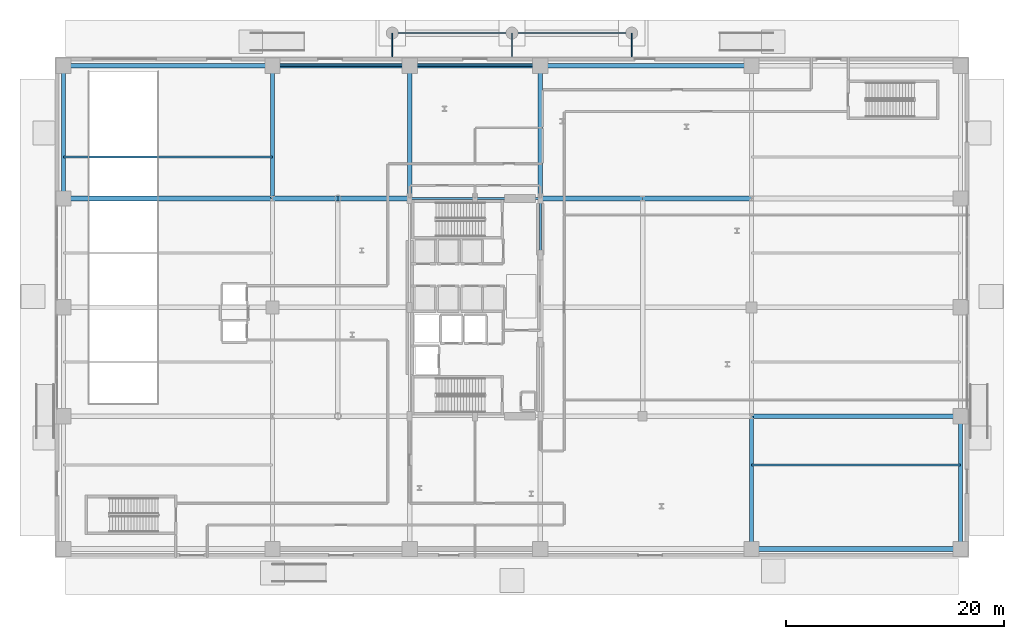
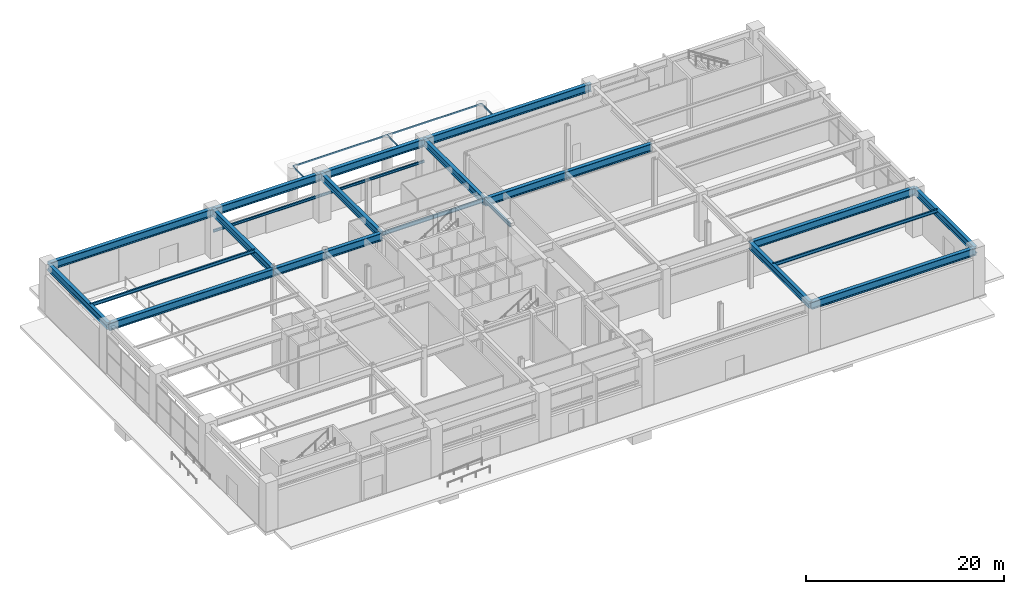
# One storey, part 12 of 31: 29 beams.
"""IFC4 building model written with IfcOpenShell, lengths in metres."""

from ifc_helpers import new_model, si_unit, direction, frame, origin, origin_2d, place, context, subcontext, project, spatial, hollow_rectangle, i_section, extrude, material, material_profile, profile_set, type_object, element, save


model = new_model("IFC4")

# Units and contexts
model_context = context("Model", 3, precision=1e-05, world=origin(), true_north=direction((0.0, 1.0)))
body_context = subcontext(model_context, "Body", "Model", "MODEL_VIEW")
ifc_project = project(units=[si_unit("LENGTHUNIT", "METRE"), si_unit("AREAUNIT", "SQUARE_METRE"), si_unit("VOLUMEUNIT", "CUBIC_METRE"), si_unit("PLANEANGLEUNIT", "RADIAN"), si_unit("MASSUNIT", "GRAM", prefix="KILO")], contexts=[model_context])

# Site, building, storey
site_placement = place(None, origin())
site = spatial("IfcSite", under=ifc_project, at=site_placement, CompositionType="ELEMENT")
building_placement = place(site_placement, origin())
building = spatial("IfcBuilding", under=site, at=building_placement, Name="Soratama Intermodal Tower", CompositionType="ELEMENT")
storey_placement = place(building_placement, origin())
storey = spatial("IfcBuildingStorey", under=building, at=storey_placement, Name="L00", CompositionType="ELEMENT", Elevation=0.0)

# Beams
ifc_material_1 = material(Name="Structural steel ASTM A500 Grade C", Category="steel")
ifc_material_profile_1 = material_profile(ifc_material_1, hollow_rectangle(XDim=0.1015625, YDim=0.203125, WallThickness=0.009521484375, InnerFilletRadius=0.009521484375, OuterFilletRadius=0.01904296875, at=origin_2d()), Name="HSS203X102X9.5")
ifc_profile_set_1 = profile_set([ifc_material_profile_1], Name="Structural steel ASTM A500 Grade C")
beam_type_1 = type_object("IfcBeamType", Name="BM-CAN-HSS203", PredefinedType="BEAM", material=ifc_profile_set_1)
for number, where, z_axis, x_axis, name in (
    (1, (31.0, 50.199951171875, 5.097900390625), (1.0, 0.0, 0.0), (0.0, 1.0, 0.0), "North Canopy Edge Beam 1"),
    (2, (42.0, 50.199951171875, 5.097900390625), (1.0, 0.0, 0.0), (0.0, 1.0, 0.0), "North Canopy Edge Beam 2"),
):
    element("IfcBeam", number, at=place(storey_placement, frame(where, z_axis=z_axis, x_axis=x_axis)), inside=storey, type_object=beam_type_1, Name=name, PredefinedType="BEAM", context=body_context, shape_type="SweptSolid", body=[
        extrude(hollow_rectangle(XDim=0.1015625, YDim=0.203125, WallThickness=0.009521484375, InnerFilletRadius=0.009521484375, OuterFilletRadius=0.01904296875, at=origin_2d()), origin(), (0.0, 0.0, 1.0), 11.0),
    ])
for number, where, z_axis, x_axis, name in (
    (3, (31.0, 48.0, 5.097900390625), (0.0, 1.0, 0.0), (-1.0, 0.0, 0.0), "North Canopy Tie Beam 1"),
    (4, (42.0, 48.0, 5.097900390625), (0.0, 1.0, 0.0), (-1.0, 0.0, 0.0), "North Canopy Tie Beam 2"),
    (5, (53.0, 48.0, 5.097900390625), (0.0, 1.0, 0.0), (-1.0, 0.0, 0.0), "North Canopy Tie Beam 3"),
):
    element("IfcBeam", number, at=place(storey_placement, frame(where, z_axis=z_axis, x_axis=x_axis)), inside=storey, type_object=beam_type_1, Name=name, PredefinedType="BEAM", context=body_context, shape_type="SweptSolid", body=[
        extrude(hollow_rectangle(XDim=0.1015625, YDim=0.203125, WallThickness=0.009521484375, InnerFilletRadius=0.009521484375, OuterFilletRadius=0.01904296875, at=origin_2d()), origin(), (0.0, 0.0, 1.0), 2.199951171875),
    ])
ifc_material_2 = material(Name="Structural steel ASTM A992 Grade 50", Category="steel")
ifc_material_profile_2 = material_profile(ifc_material_2, i_section(OverallWidth=0.19091796875, OverallDepth=0.4599609375, WebThickness=0.010009765625, FlangeThickness=0.01611328125, FilletRadius=0.010986328125, at=origin_2d()), Name="W18X55")
ifc_profile_set_2 = profile_set([ifc_material_profile_2], Name="Structural steel ASTM A992 Grade 50")
beam_type_2 = type_object("IfcBeamType", Name="BM-FLR-W18X55", PredefinedType="BEAM", material=ifc_profile_set_2)
beam_1_placement = place(storey_placement, frame((44.60009765625, 29.800048828125, 5.449951171875), z_axis=(0.0, 1.0, 0.0), x_axis=(-1.0, 0.0, 0.0)))
element("IfcBeam", 6, at=beam_1_placement, inside=storey, type_object=beam_type_2, Name="BM-L00-CRING-05", PredefinedType="BEAM", context=body_context, shape_type="SweptSolid", body=[
    extrude(i_section(OverallWidth=0.19091796875, OverallDepth=0.4599609375, WebThickness=0.010009765625, FlangeThickness=0.01611328125, FilletRadius=0.010986328125, at=origin_2d()), origin(), (0.0, 0.0, 1.0), 5.199951171875),
])
for number, where, z_axis, x_axis, name in (
    (7, (44.60009765625, 35.0, 5.449951171875), (-1.0, 0.0, 0.0), (0.0, -1.0, 0.0), "BM-L00-CRING-06"),
    (8, (38.60009765625, 35.0, 5.449951171875), (-1.0, 0.0, 0.0), (0.0, -1.0, 0.0), "BM-L00-CRING-07"),
):
    element("IfcBeam", number, at=place(storey_placement, frame(where, z_axis=z_axis, x_axis=x_axis)), inside=storey, type_object=beam_type_2, Name=name, PredefinedType="BEAM", context=body_context, shape_type="SweptSolid", body=[
        extrude(i_section(OverallWidth=0.19091796875, OverallDepth=0.4599609375, WebThickness=0.010009765625, FlangeThickness=0.01611328125, FilletRadius=0.010986328125, at=origin_2d()), origin(), (0.0, 0.0, 1.0), 6.0),
    ])
ifc_material_3 = material(Name="Structural steel ASTM A992 Grade 50", Category="steel")
ifc_material_profile_3 = material_profile(ifc_material_3, i_section(OverallWidth=0.177978515625, OverallDepth=0.406982421875, WebThickness=0.0078125, FlangeThickness=0.0126953125, FilletRadius=0.010009765625, at=origin_2d()), Name="W16X40")
ifc_profile_set_3 = profile_set([ifc_material_profile_3], Name="Structural steel ASTM A992 Grade 50")
beam_type_3 = type_object("IfcBeamType", Name="BM-JST-W16X40", PredefinedType="JOIST", material=ifc_profile_set_3)
for number, where, z_axis, x_axis, name in (
    (9, (64.0, 10.5, 5.4765625), (1.0, 0.0, 0.0), (0.0, 1.0, 0.0), "JST-L00-E1"),
    (10, (0.800048828125, 38.800048828125, 5.4765625), (1.0, 0.0, 0.0), (0.0, 1.0, 0.0), "JST-L00-W4"),
):
    element("IfcBeam", number, at=place(storey_placement, frame(where, z_axis=z_axis, x_axis=x_axis)), inside=storey, type_object=beam_type_3, Name=name, PredefinedType="JOIST", context=body_context, shape_type="SweptSolid", body=[
        extrude(i_section(OverallWidth=0.177978515625, OverallDepth=0.406982421875, WebThickness=0.0078125, FlangeThickness=0.0126953125, FilletRadius=0.010009765625, at=origin_2d()), origin(), (0.0, 0.0, 1.0), 19.199951171875),
    ])
ifc_material_4 = material(Name="Structural steel ASTM A992 Grade 50", Category="steel")
ifc_material_profile_4 = material_profile(ifc_material_4, i_section(OverallWidth=0.1650390625, OverallDepth=0.31005859375, WebThickness=0.005859375, FlangeThickness=0.009765625, FilletRadius=0.008056640625, at=origin_2d()), Name="W12X26")
ifc_profile_set_4 = profile_set([ifc_material_profile_4], Name="Structural steel ASTM A992 Grade 50")
beam_type_4 = type_object("IfcBeamType", Name="BM-LNT-W12X26", PredefinedType="LINTEL", material=ifc_profile_set_4)
beam_2_placement = place(storey_placement, frame((20.0, 47.199951171875, 2.804931640625), z_axis=(1.0, 0.0, 0.0), x_axis=(0.0, 1.0, 0.0)))
element("IfcBeam", 11, at=beam_2_placement, inside=storey, type_object=beam_type_4, Name="L00 Facade Transom Lintel 3", PredefinedType="LINTEL", context=body_context, shape_type="SweptSolid", body=[
    extrude(i_section(OverallWidth=0.1650390625, OverallDepth=0.31005859375, WebThickness=0.005859375, FlangeThickness=0.009765625, FilletRadius=0.008056640625, at=origin_2d()), origin(), (0.0, 0.0, 1.0), 12.60009765625),
])
beam_3_placement = place(storey_placement, frame((32.60009765625, 47.199951171875, 2.804931640625), z_axis=(1.0, 0.0, 0.0), x_axis=(0.0, 1.0, 0.0)))
element("IfcBeam", 12, at=beam_3_placement, inside=storey, type_object=beam_type_4, Name="L00 Facade Transom Lintel 4", PredefinedType="LINTEL", context=body_context, shape_type="SweptSolid", body=[
    extrude(i_section(OverallWidth=0.1650390625, OverallDepth=0.31005859375, WebThickness=0.005859375, FlangeThickness=0.009765625, FilletRadius=0.008056640625, at=origin_2d()), origin(), (0.0, 0.0, 1.0), 12.0),
])
ifc_material_5 = material(Name="Structural steel ASTM A992 Grade 50", Category="steel")
ifc_material_profile_5 = material_profile(ifc_material_5, i_section(OverallWidth=0.403076171875, OverallDepth=0.867919921875, WebThickness=0.02099609375, FlangeThickness=0.03564453125, FilletRadius=0.01806640625, at=origin_2d()), Name="W33X241")
ifc_profile_set_5 = profile_set([ifc_material_profile_5], Name="Structural steel ASTM A992 Grade 50")
beam_type_5 = type_object("IfcBeamType", Name="BM-POD-EXT-W33", PredefinedType="BEAM", material=ifc_profile_set_5)
for number, where, z_axis, x_axis, name in (
    (13, (0.800048828125, 35.0, 5.24609375), (0.0, 1.0, 0.0), (-1.0, 0.0, 0.0), "L00 Station Girder Y1-4"),
    (14, (83.199951171875, 2.800048828125, 5.24609375), (0.0, 1.0, 0.0), (-1.0, 0.0, 0.0), "L00 Station Girder Y4-1"),
):
    element("IfcBeam", number, at=place(storey_placement, frame(where, z_axis=z_axis, x_axis=x_axis)), inside=storey, type_object=beam_type_5, Name=name, PredefinedType="BEAM", context=body_context, shape_type="SweptSolid", body=[
        extrude(i_section(OverallWidth=0.403076171875, OverallDepth=0.867919921875, WebThickness=0.02099609375, FlangeThickness=0.03564453125, FilletRadius=0.01806640625, at=origin_2d()), origin(), (0.0, 0.0, 1.0), 12.199951171875),
    ])
ifc_material_6 = material(Name="Structural steel ASTM A992 Grade 50", Category="steel")
ifc_material_profile_6 = material_profile(ifc_material_6, i_section(OverallWidth=0.423095703125, OverallDepth=0.93896484375, WebThickness=0.02392578125, FlangeThickness=0.042724609375, FilletRadius=0.02392578125, at=origin_2d()), Name="W36X302")
ifc_profile_set_6 = profile_set([ifc_material_profile_6], Name="Structural steel ASTM A992 Grade 50")
beam_type_6 = type_object("IfcBeamType", Name="BM-POD-EXT-W36", PredefinedType="BEAM", material=ifc_profile_set_6)
for number, where, z_axis, x_axis, name in (
    (15, (64.0, 2.800048828125, 5.21044921875), (1.0, 0.0, 0.0), (0.0, 1.0, 0.0), "L00 Station Girder X1-5"),
    (16, (0.800048828125, 47.199951171875, 5.21044921875), (1.0, 0.0, 0.0), (0.0, 1.0, 0.0), "L00 Station Girder X5-1"),
):
    element("IfcBeam", number, at=place(storey_placement, frame(where, z_axis=z_axis, x_axis=x_axis)), inside=storey, type_object=beam_type_6, Name=name, PredefinedType="BEAM", context=body_context, shape_type="SweptSolid", body=[
        extrude(i_section(OverallWidth=0.423095703125, OverallDepth=0.93896484375, WebThickness=0.02392578125, FlangeThickness=0.042724609375, FilletRadius=0.02392578125, at=origin_2d()), origin(), (0.0, 0.0, 1.0), 19.199951171875),
    ])
beam_4_placement = place(storey_placement, frame((20.0, 47.199951171875, 5.21044921875), z_axis=(1.0, 0.0, 0.0), x_axis=(0.0, 1.0, 0.0)))
element("IfcBeam", 17, at=beam_4_placement, inside=storey, type_object=beam_type_6, Name="L00 Station Girder X5-2", PredefinedType="BEAM", context=body_context, shape_type="SweptSolid", body=[
    extrude(i_section(OverallWidth=0.423095703125, OverallDepth=0.93896484375, WebThickness=0.02392578125, FlangeThickness=0.042724609375, FilletRadius=0.02392578125, at=origin_2d()), origin(), (0.0, 0.0, 1.0), 12.60009765625),
])
beam_5_placement = place(storey_placement, frame((32.60009765625, 47.199951171875, 5.21044921875), z_axis=(1.0, 0.0, 0.0), x_axis=(0.0, 1.0, 0.0)))
element("IfcBeam", 18, at=beam_5_placement, inside=storey, type_object=beam_type_6, Name="L00 Station Girder X5-3", PredefinedType="BEAM", context=body_context, shape_type="SweptSolid", body=[
    extrude(i_section(OverallWidth=0.423095703125, OverallDepth=0.93896484375, WebThickness=0.02392578125, FlangeThickness=0.042724609375, FilletRadius=0.02392578125, at=origin_2d()), origin(), (0.0, 0.0, 1.0), 12.0),
])
beam_6_placement = place(storey_placement, frame((44.60009765625, 47.199951171875, 5.21044921875), z_axis=(1.0, 0.0, 0.0), x_axis=(0.0, 1.0, 0.0)))
element("IfcBeam", 19, at=beam_6_placement, inside=storey, type_object=beam_type_6, Name="L00 Station Girder X5-4", PredefinedType="BEAM", context=body_context, shape_type="SweptSolid", body=[
    extrude(i_section(OverallWidth=0.423095703125, OverallDepth=0.93896484375, WebThickness=0.02392578125, FlangeThickness=0.042724609375, FilletRadius=0.02392578125, at=origin_2d()), origin(), (0.0, 0.0, 1.0), 19.39990234375),
])
ifc_material_7 = material(Name="Structural steel ASTM A992 Grade 50", Category="steel")
ifc_material_profile_7 = material_profile(ifc_material_7, i_section(OverallWidth=0.403076171875, OverallDepth=0.867919921875, WebThickness=0.02099609375, FlangeThickness=0.03564453125, FilletRadius=0.01806640625, at=origin_2d()), Name="W33X241")
ifc_profile_set_7 = profile_set([ifc_material_profile_7], Name="Structural steel ASTM A992 Grade 50")
beam_type_7 = type_object("IfcBeamType", Name="BM-POD-W33X241", PredefinedType="BEAM", material=ifc_profile_set_7)
for number, where, z_axis, x_axis, name in (
    (20, (20.0, 35.0, 5.24609375), (0.0, 1.0, 0.0), (-1.0, 0.0, 0.0), "L00 Station Girder Y2-4"),
    (21, (64.0, 2.800048828125, 5.24609375), (0.0, 1.0, 0.0), (-1.0, 0.0, 0.0), "L00 Station Girder Y3-1"),
    (22, (32.60009765625, 35.0, 5.24609375), (0.0, 1.0, 0.0), (-1.0, 0.0, 0.0), "BM-L00-GYC-1-2"),
    (23, (44.60009765625, 35.0, 5.24609375), (0.0, 1.0, 0.0), (-1.0, 0.0, 0.0), "BM-L00-GYC-2-2"),
):
    element("IfcBeam", number, at=place(storey_placement, frame(where, z_axis=z_axis, x_axis=x_axis)), inside=storey, type_object=beam_type_7, Name=name, PredefinedType="BEAM", context=body_context, shape_type="SweptSolid", body=[
        extrude(i_section(OverallWidth=0.403076171875, OverallDepth=0.867919921875, WebThickness=0.02099609375, FlangeThickness=0.03564453125, FilletRadius=0.01806640625, at=origin_2d()), origin(), (0.0, 0.0, 1.0), 12.199951171875),
    ])
ifc_material_8 = material(Name="Structural steel ASTM A992 Grade 50", Category="steel")
ifc_material_profile_8 = material_profile(ifc_material_8, i_section(OverallWidth=0.423095703125, OverallDepth=0.93896484375, WebThickness=0.02392578125, FlangeThickness=0.042724609375, FilletRadius=0.02392578125, at=origin_2d()), Name="W36X302")
ifc_profile_set_8 = profile_set([ifc_material_profile_8], Name="Structural steel ASTM A992 Grade 50")
beam_type_8 = type_object("IfcBeamType", Name="BM-POD-W36X302", PredefinedType="BEAM", material=ifc_profile_set_8)
beam_7_placement = place(storey_placement, frame((64.0, 15.0, 5.21044921875), z_axis=(1.0, 0.0, 0.0), x_axis=(0.0, 1.0, 0.0)))
element("IfcBeam", 24, at=beam_7_placement, inside=storey, type_object=beam_type_8, Name="L00 Station Girder X2-6", PredefinedType="BEAM", context=body_context, shape_type="SweptSolid", body=[
    extrude(i_section(OverallWidth=0.423095703125, OverallDepth=0.93896484375, WebThickness=0.02392578125, FlangeThickness=0.042724609375, FilletRadius=0.02392578125, at=origin_2d()), origin(), (0.0, 0.0, 1.0), 19.199951171875),
])
beam_8_placement = place(storey_placement, frame((20.0, 35.0, 5.21044921875), z_axis=(1.0, 0.0, 0.0), x_axis=(0.0, 1.0, 0.0)))
element("IfcBeam", 25, at=beam_8_placement, inside=storey, type_object=beam_type_8, Name="L00 Station Girder X4-1", PredefinedType="BEAM", context=body_context, shape_type="SweptSolid", body=[
    extrude(i_section(OverallWidth=0.423095703125, OverallDepth=0.93896484375, WebThickness=0.02392578125, FlangeThickness=0.042724609375, FilletRadius=0.02392578125, at=origin_2d()), origin(), (0.0, 0.0, 1.0), 6.0),
])
beam_9_placement = place(storey_placement, frame((26.0, 35.0, 5.21044921875), z_axis=(1.0, 0.0, 0.0), x_axis=(0.0, 1.0, 0.0)))
element("IfcBeam", 26, at=beam_9_placement, inside=storey, type_object=beam_type_8, Name="L00 Station Girder X4-2", PredefinedType="BEAM", context=body_context, shape_type="SweptSolid", body=[
    extrude(i_section(OverallWidth=0.423095703125, OverallDepth=0.93896484375, WebThickness=0.02392578125, FlangeThickness=0.042724609375, FilletRadius=0.02392578125, at=origin_2d()), origin(), (0.0, 0.0, 1.0), 6.60009765625),
])
beam_10_placement = place(storey_placement, frame((44.60009765625, 35.0, 5.21044921875), z_axis=(1.0, 0.0, 0.0), x_axis=(0.0, 1.0, 0.0)))
element("IfcBeam", 27, at=beam_10_placement, inside=storey, type_object=beam_type_8, Name="L00 Station Girder X4-3", PredefinedType="BEAM", context=body_context, shape_type="SweptSolid", body=[
    extrude(i_section(OverallWidth=0.423095703125, OverallDepth=0.93896484375, WebThickness=0.02392578125, FlangeThickness=0.042724609375, FilletRadius=0.02392578125, at=origin_2d()), origin(), (0.0, 0.0, 1.0), 9.39990234375),
])
beam_11_placement = place(storey_placement, frame((54.0, 35.0, 5.21044921875), z_axis=(1.0, 0.0, 0.0), x_axis=(0.0, 1.0, 0.0)))
element("IfcBeam", 28, at=beam_11_placement, inside=storey, type_object=beam_type_8, Name="L00 Station Girder X4-4", PredefinedType="BEAM", context=body_context, shape_type="SweptSolid", body=[
    extrude(i_section(OverallWidth=0.423095703125, OverallDepth=0.93896484375, WebThickness=0.02392578125, FlangeThickness=0.042724609375, FilletRadius=0.02392578125, at=origin_2d()), origin(), (0.0, 0.0, 1.0), 10.0),
])
beam_12_placement = place(storey_placement, frame((0.800048828125, 35.0, 5.21044921875), z_axis=(1.0, 0.0, 0.0), x_axis=(0.0, 1.0, 0.0)))
element("IfcBeam", 29, at=beam_12_placement, inside=storey, type_object=beam_type_8, Name="L00 Station Girder X4-6", PredefinedType="BEAM", context=body_context, shape_type="SweptSolid", body=[
    extrude(i_section(OverallWidth=0.423095703125, OverallDepth=0.93896484375, WebThickness=0.02392578125, FlangeThickness=0.042724609375, FilletRadius=0.02392578125, at=origin_2d()), origin(), (0.0, 0.0, 1.0), 19.199951171875),
])

save(model, "model.ifc")
